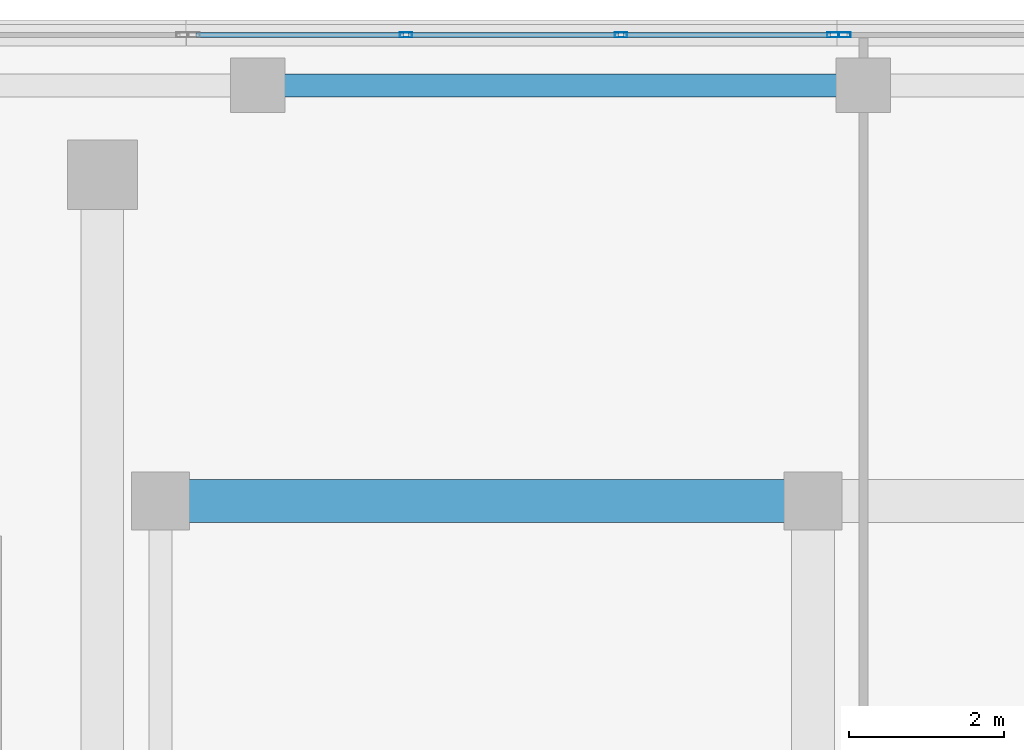
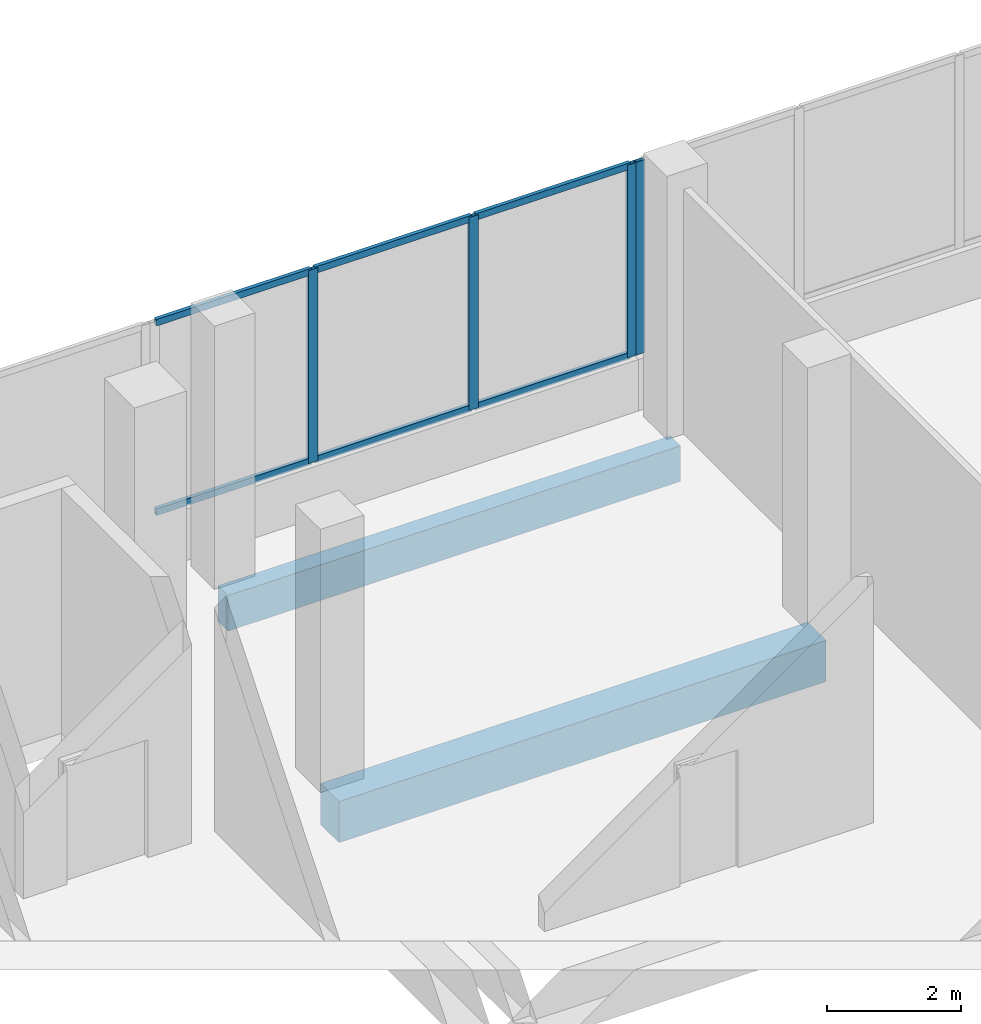
# One storey, part 109 of 155: 10 members, 2 beams, 2 elements without a shape of their own.
"""IFC4 building model written with IfcOpenShell, lengths in metres."""

import ifcopenshell
import ifcopenshell.guid

model = None  # the IFC model being written
_history = None  # IfcOwnerHistory: only IFC2X3 demands one
_inside = {}  # id of a spatial element -> (the spatial element, [elements in it])
_under = {}  # id of a project, library or spatial element -> (it, [spatial elements below it])
_declared = {}  # id of a project -> (the project, [libraries it declares])
_typed = {}  # id of a type object -> (the type object, [elements of that type])
_made_of = {}  # id of a material, layer set ... -> (it, [elements and type objects made of it])


def new_model(schema):
    """Start an empty IFC model of exactly this schema.

    Asked for "IFC4X3", IfcOpenShell would pick the latest addendum, in which some entities
    have other attributes; the version numbers below select the first issue.
    IFC2X3 requires an IfcOwnerHistory on every rooted entity: one is made here for all.
    """
    global model, _history
    if schema == "IFC4X3":
        model = ifcopenshell.file(schema_version=(4, 3, 0, 0))
    else:
        model = ifcopenshell.file(schema=schema)
    _inside.clear()
    _under.clear()
    _declared.clear()
    _typed.clear()
    _made_of.clear()
    _history = None
    if model.schema == "IFC2X3":
        org = make("IfcOrganization", Name="unknown")
        user = make(
            "IfcPersonAndOrganization",
            ThePerson=make("IfcPerson", FamilyName="unknown"),
            TheOrganization=org,
        )
        app = make(
            "IfcApplication",
            ApplicationDeveloper=org,
            Version="unknown",
            ApplicationFullName="unknown",
            ApplicationIdentifier="unknown",
        )
        _history = make(
            "IfcOwnerHistory",
            OwningUser=user,
            OwningApplication=app,
            ChangeAction="ADDED",
            CreationDate=0,
        )
    return model


def make(cls, **values):
    """One entity of the class cls with the attributes given. An attribute that is None is left unset."""
    return model.create_entity(
        cls, **{name: value for name, value in values.items() if value is not None}
    )


def rooted(cls, **values):
    """An entity with a GlobalId (a new one), such as an element, a storey or a relation."""
    return make(cls, GlobalId=ifcopenshell.guid.new(), OwnerHistory=_history, **values)


def si_unit(unit_type, name, prefix=None):
    """IfcSIUnit, for example si_unit("LENGTHUNIT", "METRE", prefix="MILLI")."""
    return make("IfcSIUnit", UnitType=unit_type, Prefix=prefix, Name=name)


def assignment(units):
    """IfcUnitAssignment: the units of a project."""
    return None if units is None else make("IfcUnitAssignment", Units=units)


def point(xyz):
    """IfcCartesianPoint."""
    return None if xyz is None else make("IfcCartesianPoint", Coordinates=xyz)


def direction(xyz):
    """IfcDirection."""
    return None if xyz is None else make("IfcDirection", DirectionRatios=xyz)


def frame(location, z_axis=None, x_axis=None):
    """IfcAxis2Placement3D, a coordinate frame: its origin and axes. An axis left out is left unset."""
    return make(
        "IfcAxis2Placement3D",
        Location=point(location),
        Axis=direction(z_axis),
        RefDirection=direction(x_axis),
    )


def frame_2d(location, x_axis=None):
    """IfcAxis2Placement2D, a coordinate frame in the plane: its origin and x axis."""
    return make(
        "IfcAxis2Placement2D", Location=point(location), RefDirection=direction(x_axis)
    )


def origin():
    """The frame at (0, 0, 0) with its axes left unset."""
    return frame((0.0, 0.0, 0.0))


def origin_2d():
    """The frame at (0, 0) in the plane with its x axis left unset."""
    return frame_2d((0.0, 0.0))


def place(relative_to, where):
    """IfcLocalPlacement: puts the frame where relative to a parent placement (None: the world)."""
    return make(
        "IfcLocalPlacement", PlacementRelTo=relative_to, RelativePlacement=where
    )


def context(
    kind, dimensions, precision=None, world=None, true_north=None, identifier=None
):
    """IfcGeometricRepresentationContext, for example the 3D "Model" context."""
    return make(
        "IfcGeometricRepresentationContext",
        ContextIdentifier=identifier,
        ContextType=kind,
        CoordinateSpaceDimension=dimensions,
        Precision=precision,
        WorldCoordinateSystem=world,
        TrueNorth=true_north,
    )


def subcontext(parent, identifier, kind, view, scale=None):
    """IfcGeometricRepresentationSubContext, for example "Body" below "Model"."""
    return make(
        "IfcGeometricRepresentationSubContext",
        ContextIdentifier=identifier,
        ContextType=kind,
        ParentContext=parent,
        TargetScale=scale,
        TargetView=view,
    )


def project(units=None, contexts=None):
    """IfcProject with its units and contexts."""
    return rooted(
        "IfcProject",
        Name="project",
        RepresentationContexts=contexts,
        UnitsInContext=assignment(units),
    )


def spatial(cls, under=None, at=None, **own):
    """A site, building, storey or space (cls), placed at a placement, below another one or the project."""
    s = rooted(cls, ObjectPlacement=at, **own)
    if under is not None:
        _under.setdefault(under.id(), (under, []))[1].append(s)
    return s


def profile(cls, at=None, kind="AREA", **sizes):
    """A parametric profile (cls). Its sizes go by their IFC names, for example OverallWidth=200.0."""
    return make(cls, ProfileType=kind, Position=at, **sizes)


def rectangle(**sizes):
    """IfcRectangleProfileDef."""
    return profile("IfcRectangleProfileDef", **sizes)


def hollow_rectangle(**sizes):
    """IfcRectangleHollowProfileDef."""
    return profile("IfcRectangleHollowProfileDef", **sizes)


def extrude(swept, where, along, depth):
    """IfcExtrudedAreaSolid: the profile swept, set in the frame where, extruded along a direction by depth."""
    return make(
        "IfcExtrudedAreaSolid",
        SweptArea=swept,
        Position=where,
        ExtrudedDirection=direction(along),
        Depth=depth,
    )


def shape(context_of_items, identifier, shape_type, items):
    """IfcShapeRepresentation: the items that make up one representation, for example the "Body"."""
    return make(
        "IfcShapeRepresentation",
        ContextOfItems=context_of_items,
        RepresentationIdentifier=identifier,
        RepresentationType=shape_type,
        Items=items,
    )


def material(Name=None, Category=None):
    """IfcMaterial."""
    return make("IfcMaterial", Name=Name, Category=Category)


def material_profile(
    of_material, cross_section, Name=None, Category=None, Priority=None
):
    """IfcMaterialProfile: a cross section and its material."""
    return make(
        "IfcMaterialProfile",
        Name=Name,
        Material=of_material,
        Profile=cross_section,
        Priority=Priority,
        Category=Category,
    )


def profile_set(profiles, Name=None, composite=None):
    """IfcMaterialProfileSet."""
    return make(
        "IfcMaterialProfileSet",
        Name=Name,
        MaterialProfiles=profiles,
        CompositeProfile=composite,
    )


def made_of(thing, what):
    """Note that an element or type object is made of a material, layer set ...; save() writes the relation."""
    if what is not None:
        _made_of.setdefault(what.id(), (what, []))[1].append(thing)
    return thing


def type_object(cls, material=None, **own):
    """A type object (cls), such as IfcWallType, which elements share."""
    return made_of(rooted(cls, **own), material)


def element(
    cls,
    number,
    at=None,
    inside=None,
    cuts=None,
    type_object=None,
    material=None,
    context=None,
    identifier="Body",
    shape_type=None,
    held_by="IfcProductDefinitionShape",
    body=None,
    shapes=None,
    **own,
):
    """One element of the class cls, such as IfcWall. Its Tag is "e" and its number.

    at: its placement. inside: the storey or other place that contains it. cuts: it is an
    opening in that element (IfcRelVoidsElement). A single representation is given by context,
    identifier, shape_type and body (its items); several are given by shapes. held_by: the class
    of the entity that holds the representations. save() writes the other relations.
    """
    e = rooted(cls, Tag="e%d" % number, ObjectPlacement=at, **own)
    if body is not None:
        shapes = [shape(context, identifier, shape_type, body)]
    if shapes is not None:
        e.Representation = make(held_by, Representations=shapes)
    if inside is not None:
        _inside.setdefault(inside.id(), (inside, []))[1].append(e)
    if cuts is not None:
        rooted(
            "IfcRelVoidsElement", RelatingBuildingElement=cuts, RelatedOpeningElement=e
        )
    if type_object is not None:
        _typed.setdefault(type_object.id(), (type_object, []))[1].append(e)
    return made_of(e, material)


def aggregate(whole, parts):
    """IfcRelAggregates: a whole, such as a stair, and the parts it consists of."""
    return rooted("IfcRelAggregates", RelatingObject=whole, RelatedObjects=parts)


def save(model, path):
    """Write the relations noted so far, then the file.

    IfcRelAggregates (storeys below a building ...), IfcRelContainedInSpatialStructure (elements
    in a storey), IfcRelDefinesByType, IfcRelAssociatesMaterial and IfcRelDeclares: one each for
    every whole, place, type object, material and project.
    """
    for whole, parts in _under.values():
        aggregate(whole, parts)
    for where, things in _inside.values():
        rooted(
            "IfcRelContainedInSpatialStructure",
            RelatedElements=things,
            RelatingStructure=where,
        )
    for kind, things in _typed.values():
        rooted("IfcRelDefinesByType", RelatedObjects=things, RelatingType=kind)
    for what, things in _made_of.values():
        rooted("IfcRelAssociatesMaterial", RelatedObjects=things, RelatingMaterial=what)
    for by, libraries in _declared.values():
        rooted("IfcRelDeclares", RelatingContext=by, RelatedDefinitions=libraries)
    model.write(path)


model = new_model("IFC4")

# Units and contexts
model_context = context("Model", 3, precision=1e-05, world=origin(), true_north=direction((0.0, 1.0)))
body_context = subcontext(model_context, "Body", "Model", "MODEL_VIEW")
ifc_project = project(units=[si_unit("LENGTHUNIT", "METRE"), si_unit("AREAUNIT", "SQUARE_METRE"), si_unit("VOLUMEUNIT", "CUBIC_METRE"), si_unit("PLANEANGLEUNIT", "RADIAN"), si_unit("MASSUNIT", "GRAM", prefix="KILO")], contexts=[model_context])

# Site, building, storey
site_placement = place(None, origin())
site = spatial("IfcSite", under=ifc_project, at=site_placement, CompositionType="ELEMENT")
building_placement = place(site_placement, origin())
building = spatial("IfcBuilding", under=site, at=building_placement, Name="Selatvlak General Hospital", CompositionType="ELEMENT")
storey_placement = place(building_placement, frame((0.0, 0.0, 10.199951171875)))
storey = spatial("IfcBuildingStorey", under=building, at=storey_placement, Name="L02", CompositionType="ELEMENT", Elevation=10.199951171875)

# Beams
ifc_material_1 = material(Name="Concrete C40/50", Category="concrete")
ifc_material_profile_1 = material_profile(ifc_material_1, rectangle(XDim=0.550048828125, YDim=0.75, at=origin_2d()), Name="RC-BM 550x750")
ifc_profile_set_1 = profile_set([ifc_material_profile_1], Name="Concrete C40/50")
beam_type_1 = type_object("IfcBeamType", Name="BM-G02", PredefinedType="BEAM", material=ifc_profile_set_1)
beam_1_placement = place(storey_placement, frame((148.14990234375, 114.0, -0.72998046875), z_axis=(1.0, 0.0, 0.0), x_axis=(0.0, 1.0, 0.0)))
element("IfcBeam", 1, at=beam_1_placement, inside=storey, type_object=beam_type_1, Name="Beam BMR-L02-0904", PredefinedType="BEAM", context=body_context, shape_type="SweptSolid", body=[
    extrude(rectangle(XDim=0.550048828125, YDim=0.75, at=origin_2d()), origin(), (0.0, 0.0, 1.0), 8.400146484375),
])
ifc_material_profile_2 = material_profile(ifc_material_1, rectangle(XDim=0.300048828125, YDim=0.64990234375, at=origin_2d()), Name="RC-SP 300x650")
ifc_profile_set_2 = profile_set([ifc_material_profile_2], Name="Concrete C40/50")
beam_type_2 = type_object("IfcBeamType", Name="BM-SP1", PredefinedType="SPANDREL", material=ifc_profile_set_2)
beam_2_placement = place(storey_placement, frame((149.39990234375, 119.35009765625, -0.679931640625), z_axis=(1.0, 0.0, 0.0), x_axis=(0.0, 1.0, 0.0)))
element("IfcBeam", 2, at=beam_2_placement, inside=storey, type_object=beam_type_2, Name="Beam BMR-L02-0920", PredefinedType="SPANDREL", context=body_context, shape_type="SweptSolid", body=[
    extrude(rectangle(XDim=0.300048828125, YDim=0.64990234375, at=origin_2d()), origin(), (0.0, 0.0, 1.0), 7.800048828125),
])

# Curtain wall, members
ifc_material_2 = material(Name="Solar-control Low-E double glazing", Category="glass")
curtain_wall_type_1 = type_object("IfcCurtainWallType", Name="CW-CW-02", PredefinedType="USERDEFINED", material=ifc_material_2)
curtain_wall_1_placement = place(storey_placement, origin())
curtain_wall_1 = element("IfcCurtainWall", 3, at=curtain_wall_1_placement, inside=storey, type_object=curtain_wall_type_1, Name="Glazed facade curtain wall CW-L02-0259", ObjectType="UNITISED CURTAIN WALL", PredefinedType="USERDEFINED")
ifc_material_3 = material(Name="Dark anodised aluminium mullion", Category="aluminium")
ifc_material_profile_3 = material_profile(ifc_material_3, hollow_rectangle(XDim=0.06494140625, YDim=0.159912109375, WallThickness=0.00390625, at=origin_2d()), Name="AL-MUL 65x160x4")
ifc_profile_set_3 = profile_set([ifc_material_profile_3], Name="Dark anodised aluminium mullion")
member_type_1 = type_object("IfcMemberType", Name="CWM-01", PredefinedType="MULLION", material=ifc_profile_set_3)
member_1_placement = place(storey_placement, frame((151.310546875, 120.0, 0.93994140625), z_axis=(0.0, 0.0, 1.0), x_axis=(0.0, 1.0, 0.0)))
member_1 = element("IfcMember", 4, at=member_1_placement, type_object=member_type_1, Name="CW-02 mullion 2", PredefinedType="MULLION", context=body_context, shape_type="SweptSolid", body=[
    extrude(hollow_rectangle(XDim=0.06494140625, YDim=0.159912109375, WallThickness=0.00390625, at=origin_2d()), origin(), (0.0, 0.0, 1.0), 3.52001953125),
])
member_2_placement = place(storey_placement, frame((154.077392578125, 120.0, 0.93994140625), z_axis=(0.0, 0.0, 1.0), x_axis=(0.0, 1.0, 0.0)))
member_2 = element("IfcMember", 5, at=member_2_placement, type_object=member_type_1, Name="CW-02 mullion 3", PredefinedType="MULLION", context=body_context, shape_type="SweptSolid", body=[
    extrude(hollow_rectangle(XDim=0.06494140625, YDim=0.159912109375, WallThickness=0.00390625, at=origin_2d()), origin(), (0.0, 0.0, 1.0), 3.52001953125),
])
member_3_placement = place(storey_placement, frame((156.8115234375, 120.0, 0.93994140625), z_axis=(0.0, 0.0, 1.0), x_axis=(0.0, 1.0, 0.0)))
member_3 = element("IfcMember", 6, at=member_3_placement, type_object=member_type_1, Name="CW-02 mullion 4", PredefinedType="MULLION", context=body_context, shape_type="SweptSolid", body=[
    extrude(hollow_rectangle(XDim=0.06494140625, YDim=0.159912109375, WallThickness=0.00390625, at=origin_2d()), origin(), (0.0, 0.0, 1.0), 3.52001953125),
])

# Curtain wall, member
curtain_wall_type_2 = type_object("IfcCurtainWallType", Name="CW-CW-01", PredefinedType="USERDEFINED", material=ifc_material_2)
curtain_wall_2_placement = place(storey_placement, origin())
curtain_wall_2 = element("IfcCurtainWall", 7, at=curtain_wall_2_placement, inside=storey, type_object=curtain_wall_type_2, Name="Glazed facade curtain wall CW-L02-0260", ObjectType="UNITISED CURTAIN WALL", PredefinedType="USERDEFINED")
member_4_placement = place(storey_placement, frame((156.95654296875, 120.0, 0.93994140625), z_axis=(0.0, 0.0, 1.0), x_axis=(0.0, 1.0, 0.0)))
member_4 = element("IfcMember", 8, at=member_4_placement, type_object=member_type_1, Name="CW-01 mullion 1", PredefinedType="MULLION", context=body_context, shape_type="SweptSolid", body=[
    extrude(hollow_rectangle(XDim=0.06494140625, YDim=0.159912109375, WallThickness=0.00390625, at=origin_2d()), origin(), (0.0, 0.0, 1.0), 3.52001953125),
])
aggregate(curtain_wall_2, [member_4])

# Member
ifc_material_profile_4 = material_profile(ifc_material_3, hollow_rectangle(XDim=0.06494140625, YDim=0.1201171875, WallThickness=0.00390625, at=origin_2d()), Name="AL-TRN 65x120x4")
ifc_profile_set_4 = profile_set([ifc_material_profile_4], Name="Dark anodised aluminium mullion")
member_type_2 = type_object("IfcMemberType", Name="CWT-01", PredefinedType="USERDEFINED", material=ifc_profile_set_4)
member_5_placement = place(storey_placement, frame((148.60888671875, 120.0, 0.97265625), z_axis=(1.0, 0.0, 0.0), x_axis=(0.0, 1.0, 0.0)))
member_5 = element("IfcMember", 9, at=member_5_placement, type_object=member_type_2, Name="CW-02 transom 1.1", ObjectType="TRANSOM", PredefinedType="USERDEFINED", context=body_context, shape_type="SweptSolid", body=[
    extrude(hollow_rectangle(XDim=0.06494140625, YDim=0.1201171875, WallThickness=0.00390625, at=origin_2d()), origin(), (0.0, 0.0, 1.0), 2.669189453125),
])

member_6_placement = place(storey_placement, frame((148.60888671875, 120.0, 4.427490234375), z_axis=(1.0, 0.0, 0.0), x_axis=(0.0, 1.0, 0.0)))
member_6 = element("IfcMember", 10, at=member_6_placement, type_object=member_type_2, Name="CW-02 transom 1.2", ObjectType="TRANSOM", PredefinedType="USERDEFINED", context=body_context, shape_type="SweptSolid", body=[
    extrude(hollow_rectangle(XDim=0.06494140625, YDim=0.1201171875, WallThickness=0.00390625, at=origin_2d()), origin(), (0.0, 0.0, 1.0), 2.669189453125),
])

member_7_placement = place(storey_placement, frame((151.34326171875, 120.0, 0.97265625), z_axis=(1.0, 0.0, 0.0), x_axis=(0.0, 1.0, 0.0)))
member_7 = element("IfcMember", 11, at=member_7_placement, type_object=member_type_2, Name="CW-02 transom 2.1", ObjectType="TRANSOM", PredefinedType="USERDEFINED", context=body_context, shape_type="SweptSolid", body=[
    extrude(hollow_rectangle(XDim=0.06494140625, YDim=0.1201171875, WallThickness=0.00390625, at=origin_2d()), origin(), (0.0, 0.0, 1.0), 2.70166015625),
])

member_8_placement = place(storey_placement, frame((151.34326171875, 120.0, 4.427490234375), z_axis=(1.0, 0.0, 0.0), x_axis=(0.0, 1.0, 0.0)))
member_8 = element("IfcMember", 12, at=member_8_placement, type_object=member_type_2, Name="CW-02 transom 2.2", ObjectType="TRANSOM", PredefinedType="USERDEFINED", context=body_context, shape_type="SweptSolid", body=[
    extrude(hollow_rectangle(XDim=0.06494140625, YDim=0.1201171875, WallThickness=0.00390625, at=origin_2d()), origin(), (0.0, 0.0, 1.0), 2.70166015625),
])

member_9_placement = place(storey_placement, frame((154.10986328125, 120.0, 0.97265625), z_axis=(1.0, 0.0, 0.0), x_axis=(0.0, 1.0, 0.0)))
member_9 = element("IfcMember", 13, at=member_9_placement, type_object=member_type_2, Name="CW-02 transom 3.1", ObjectType="TRANSOM", PredefinedType="USERDEFINED", context=body_context, shape_type="SweptSolid", body=[
    extrude(hollow_rectangle(XDim=0.06494140625, YDim=0.1201171875, WallThickness=0.00390625, at=origin_2d()), origin(), (0.0, 0.0, 1.0), 2.669189453125),
])

member_10_placement = place(storey_placement, frame((154.10986328125, 120.0, 4.427490234375), z_axis=(1.0, 0.0, 0.0), x_axis=(0.0, 1.0, 0.0)))
member_10 = element("IfcMember", 14, at=member_10_placement, type_object=member_type_2, Name="CW-02 transom 3.2", ObjectType="TRANSOM", PredefinedType="USERDEFINED", context=body_context, shape_type="SweptSolid", body=[
    extrude(hollow_rectangle(XDim=0.06494140625, YDim=0.1201171875, WallThickness=0.00390625, at=origin_2d()), origin(), (0.0, 0.0, 1.0), 2.669189453125),
])

aggregate(curtain_wall_1, [member_1, member_2, member_3, member_5, member_6, member_7, member_8, member_9, member_10])

save(model, "model.ifc")
